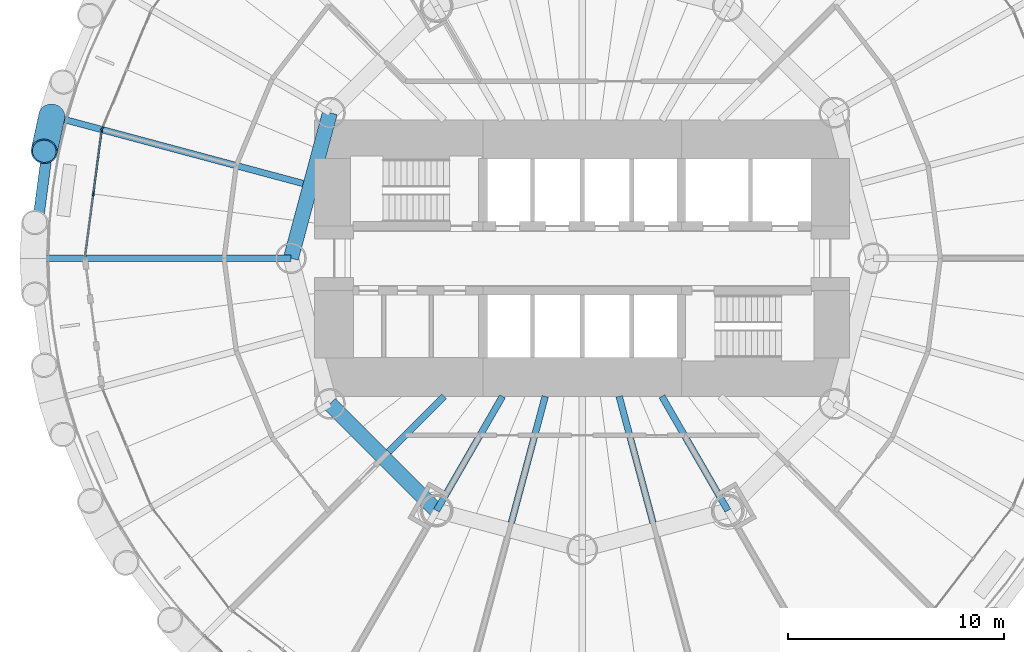
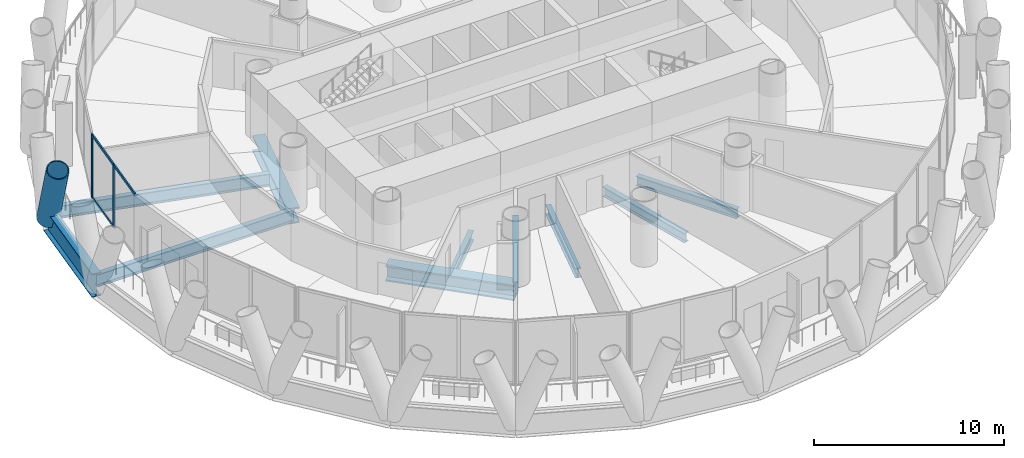
# One storey, part 3 of 14: 10 beams, 7 members, 2 elements without a shape of their own.
"""IFC4 building model written with IfcOpenShell, lengths in metres."""

from ifc_helpers import new_model, si_unit, direction, frame, origin, origin_2d, place, context, subcontext, project, spatial, rectangle, hollow_circle, i_section, extrude, material, material_profile, profile_set, type_object, element, aggregate, save


model = new_model("IFC4")

# Units and contexts
model_context = context("Model", 3, precision=1e-05, world=origin(), true_north=direction((0.0, 1.0)))
body_context = subcontext(model_context, "Body", "Model", "MODEL_VIEW")
ifc_project = project(units=[si_unit("LENGTHUNIT", "METRE"), si_unit("AREAUNIT", "SQUARE_METRE"), si_unit("VOLUMEUNIT", "CUBIC_METRE"), si_unit("PLANEANGLEUNIT", "RADIAN"), si_unit("MASSUNIT", "GRAM", prefix="KILO")], contexts=[model_context])

# Site, building, storey
site_placement = place(None, origin())
site = spatial("IfcSite", under=ifc_project, at=site_placement, CompositionType="ELEMENT")
building_placement = place(site_placement, origin())
building = spatial("IfcBuilding", under=site, at=building_placement, Name="Qaws Media Tower", CompositionType="ELEMENT")
storey_placement = place(building_placement, frame((0.0, 0.0, 93.199951171875)))
storey = spatial("IfcBuildingStorey", under=building, at=storey_placement, Name="L20", CompositionType="ELEMENT", Elevation=93.199951171875)

# Curtain wall, member
ifc_material_1 = material(Name="Aluminium and clear glass", Category="aluminium")
curtain_wall_type = type_object("IfcCurtainWallType", Name="Unitised curtain wall CW-A", PredefinedType="NOTDEFINED", material=ifc_material_1)
curtain_wall_1_placement = place(storey_placement, origin())
curtain_wall_1 = element("IfcCurtainWall", 1, at=curtain_wall_1_placement, inside=storey, type_object=curtain_wall_type, Name="CWA curtain wall L20-11", PredefinedType="NOTDEFINED")
ifc_material_2 = material(Name="Aluminium mullion", Category="aluminium")
ifc_material_profile_1 = material_profile(ifc_material_2, rectangle(XDim=0.080078125, YDim=0.199951171875, at=origin_2d()), Name="80x200")
ifc_profile_set_1 = profile_set([ifc_material_profile_1], Name="Aluminium mullion")
member_type_1 = type_object("IfcMemberType", Name="Curtain wall mullion 80x200", PredefinedType="MULLION", material=ifc_profile_set_1)
member_1_placement = place(storey_placement, frame((37.750732421875, 56.002685546875, 0.0), z_axis=(0.0, 0.0, 1.0), x_axis=(0.923879575665, -0.382683328183, 0.0)))
member_1 = element("IfcMember", 2, at=member_1_placement, type_object=member_type_1, Name="CWA mullion 3", PredefinedType="MULLION", context=body_context, shape_type="SweptSolid", body=[
    extrude(rectangle(XDim=0.080078125, YDim=0.199951171875, at=origin_2d()), origin(), (0.0, 0.0, 1.0), 4.0400390625),
])
aggregate(curtain_wall_1, [member_1])

# Curtain wall, members
curtain_wall_2_placement = place(storey_placement, origin())
curtain_wall_2 = element("IfcCurtainWall", 3, at=curtain_wall_2_placement, inside=storey, type_object=curtain_wall_type, Name="CWA curtain wall L20-12", PredefinedType="NOTDEFINED")
member_2_placement = place(storey_placement, frame((37.730224609375, 55.926025390625, 0.0), z_axis=(0.0, 0.0, 1.0), x_axis=(0.991444855038, -0.130526240342, 0.0)))
member_2 = element("IfcMember", 4, at=member_2_placement, type_object=member_type_1, Name="CWA mullion 1", PredefinedType="MULLION", context=body_context, shape_type="SweptSolid", body=[
    extrude(rectangle(XDim=0.080078125, YDim=0.199951171875, at=origin_2d()), origin(), (0.0, 0.0, 1.0), 4.0400390625),
])
member_3_placement = place(storey_placement, frame((37.3427734375, 52.98291015625, 0.0), z_axis=(0.0, 0.0, 1.0), x_axis=(0.991444855038, -0.130526240342, 0.0)))
member_3 = element("IfcMember", 5, at=member_3_placement, type_object=member_type_1, Name="CWA mullion 2", PredefinedType="MULLION", context=body_context, shape_type="SweptSolid", body=[
    extrude(rectangle(XDim=0.080078125, YDim=0.199951171875, at=origin_2d()), origin(), (0.0, 0.0, 1.0), 4.0400390625),
])
ifc_material_3 = material(Name="Aluminium transom", Category="aluminium")
ifc_material_profile_2 = material_profile(ifc_material_3, rectangle(XDim=0.080078125, YDim=0.159912109375, at=origin_2d()), Name="80x160")
ifc_profile_set_2 = profile_set([ifc_material_profile_2], Name="Aluminium transom")
member_type_2 = type_object("IfcMemberType", Name="Curtain wall transom 80x160", PredefinedType="USERDEFINED", material=ifc_profile_set_2)
member_4_placement = place(storey_placement, frame((37.724853515625, 55.886474609375, 0.0400390625), z_axis=(-0.130491678516, -0.991449404578, 0.0), x_axis=(0.991449404578, -0.130491678516, 0.0)))
member_4 = element("IfcMember", 6, at=member_4_placement, type_object=member_type_2, Name="CWA transom 1.1", ObjectType="TRANSOM", PredefinedType="USERDEFINED", context=body_context, shape_type="SweptSolid", body=[
    extrude(rectangle(XDim=0.080078125, YDim=0.159912109375, at=origin_2d()), origin(), (0.0, 0.0, 1.0), 2.888671875),
])
member_5_placement = place(storey_placement, frame((37.724853515625, 55.886474609375, 4.0), z_axis=(-0.130491678516, -0.991449404578, 0.0), x_axis=(0.991449404578, -0.130491678516, 0.0)))
member_5 = element("IfcMember", 7, at=member_5_placement, type_object=member_type_2, Name="CWA transom 1.2", ObjectType="TRANSOM", PredefinedType="USERDEFINED", context=body_context, shape_type="SweptSolid", body=[
    extrude(rectangle(XDim=0.080078125, YDim=0.159912109375, at=origin_2d()), origin(), (0.0, 0.0, 1.0), 2.888671875),
])
member_6_placement = place(storey_placement, frame((37.33740234375, 52.943115234375, 4.0), z_axis=(-0.130502613671, -0.991447965263, 0.0), x_axis=(0.991447965263, -0.130502613671, 0.0)))
member_6 = element("IfcMember", 8, at=member_6_placement, type_object=member_type_2, Name="CWA transom 2.2", ObjectType="TRANSOM", PredefinedType="USERDEFINED", context=body_context, shape_type="SweptSolid", body=[
    extrude(rectangle(XDim=0.080078125, YDim=0.159912109375, at=origin_2d()), origin(), (0.0, 0.0, 1.0), 2.888427734375),
])
aggregate(curtain_wall_2, [member_2, member_3, member_4, member_5, member_6])

# Member
ifc_material_4 = material(Name="Steel S460", Category="steel")
ifc_material_profile_3 = material_profile(ifc_material_4, hollow_circle(Radius=0.609619140625, WallThickness=0.06005859375, at=origin_2d()), Name="CHS 1219x60")
ifc_profile_set_3 = profile_set([ifc_material_profile_3], Name="Steel S460")
member_type_3 = type_object("IfcMemberType", Name="Diagrid member CHS 1219x60", PredefinedType="USERDEFINED", material=ifc_profile_set_3)
member_7_placement = place(storey_placement, frame((35.417236328125, 56.5869140625, -0.909912109375), z_axis=(-0.078302777838, -0.360063084013, 0.929636084989), x_axis=(0.977160478007, -0.212502706383, 0.0)))
element("IfcMember", 9, at=member_7_placement, inside=storey, type_object=member_type_3, Name="DG1 diagrid L20 A12", ObjectType="DIAGRID", PredefinedType="USERDEFINED", context=body_context, shape_type="SweptSolid", body=[
    extrude(hollow_circle(Radius=0.609619140625, WallThickness=0.06005859375, at=origin_2d()), origin(), (0.0, 0.0, 1.0), 4.517822265625),
])

# Beams
ifc_material_5 = material(Name="Steel S460", Category="steel")
ifc_material_profile_4 = material_profile(ifc_material_5, i_section(OverallWidth=0.5, OverallDepth=1.5, WebThickness=0.02001953125, FlangeThickness=0.0400390625, at=origin_2d()), Name="PG 1500x500")
ifc_profile_set_4 = profile_set([ifc_material_profile_4], Name="Steel S460")
beam_type_1 = type_object("IfcBeamType", Name="Edge ring beam PG 1500x500", PredefinedType="BEAM", material=ifc_profile_set_4)
beam_1_placement = place(storey_placement, frame((35.417236328125, 56.5869140625, -0.909912109375), z_axis=(-0.130526756258, -0.991444787117, 0.0), x_axis=(0.991444787117, -0.130526756258, 0.0)))
element("IfcBeam", 10, at=beam_1_placement, inside=storey, type_object=beam_type_1, Name="RB4 edge ring beam L20-12", PredefinedType="BEAM", context=body_context, shape_type="SweptSolid", body=[
    extrude(i_section(OverallWidth=0.5, OverallDepth=1.5, WebThickness=0.02001953125, FlangeThickness=0.0400390625, at=origin_2d()), origin(), (0.0, 0.0, 1.0), 6.643798828125),
])
ifc_material_6 = material(Name="Steel S460", Category="steel")
ifc_material_profile_5 = material_profile(ifc_material_6, i_section(OverallWidth=0.699951171875, OverallDepth=1.0, WebThickness=0.034912109375, FlangeThickness=0.090087890625, at=origin_2d()), Name="PG 1000x700")
ifc_profile_set_5 = profile_set([ifc_material_profile_5], Name="Steel S460")
beam_type_2 = type_object("IfcBeamType", Name="Inner ring girder PG 1000x700", PredefinedType="BEAM", material=ifc_profile_set_5)
beam_2_placement = place(storey_placement, frame((48.30859375, 56.75, -0.659912109375), z_axis=(-0.258810593767, -0.965928090778, 0.0), x_axis=(0.965928090778, -0.258810593767, 0.0)))
element("IfcBeam", 11, at=beam_2_placement, inside=storey, type_object=beam_type_2, Name="B3 inner ring beam L20 I06-I07", PredefinedType="BEAM", context=body_context, shape_type="SweptSolid", body=[
    extrude(i_section(OverallWidth=0.699951171875, OverallDepth=1.0, WebThickness=0.034912109375, FlangeThickness=0.090087890625, at=origin_2d()), origin(), (0.0, 0.0, 1.0), 6.988037109375),
])
beam_3_placement = place(storey_placement, frame((48.30859375, 43.25, -0.659912109375), z_axis=(0.707106781187, -0.707106781187, 0.0), x_axis=(0.707106781187, 0.707106781187, 0.0)))
element("IfcBeam", 12, at=beam_3_placement, inside=storey, type_object=beam_type_2, Name="B3 inner ring beam L20 I08-I09", PredefinedType="BEAM", context=body_context, shape_type="SweptSolid", body=[
    extrude(i_section(OverallWidth=0.699951171875, OverallDepth=1.0, WebThickness=0.034912109375, FlangeThickness=0.090087890625, at=origin_2d()), origin(), (0.0, 0.0, 1.0), 6.98828125),
])
ifc_material_7 = material(Name="Steel S355", Category="steel")
ifc_material_profile_6 = material_profile(ifc_material_7, i_section(OverallWidth=0.304931640625, OverallDepth=0.6201171875, WebThickness=0.02099609375, FlangeThickness=0.0400390625, FilletRadius=0.027099609375, at=origin_2d()), Name="HE 600 M")
ifc_profile_set_6 = profile_set([ifc_material_profile_6], Name="Steel S355")
beam_type_3 = type_object("IfcBeamType", Name="Radial beam HE 600 M, core side", PredefinedType="BEAM", material=ifc_profile_set_6)
beam_4_placement = place(storey_placement, frame((53.60009765625, 43.60009765625, -0.469970703125), z_axis=(-0.707106781187, -0.707106781187, 0.0), x_axis=(0.707106781187, -0.707106781187, 0.0)))
element("IfcBeam", 13, at=beam_4_placement, inside=storey, type_object=beam_type_3, Name="B2 radial beam L20 16", PredefinedType="BEAM", context=body_context, shape_type="SweptSolid", body=[
    extrude(i_section(OverallWidth=0.304931640625, OverallDepth=0.6201171875, WebThickness=0.02099609375, FlangeThickness=0.0400390625, FilletRadius=0.027099609375, at=origin_2d()), origin(), (0.0, 0.0, 1.0), 3.63916015625),
])
beam_5_placement = place(storey_placement, frame((56.304931640625, 43.60009765625, -0.469970703125), z_axis=(-0.49998532359, -0.866033877048, 0.0), x_axis=(0.866033877048, -0.49998532359, 0.0)))
element("IfcBeam", 14, at=beam_5_placement, inside=storey, type_object=beam_type_3, Name="B2 radial beam L20 17", PredefinedType="BEAM", context=body_context, shape_type="SweptSolid", body=[
    extrude(i_section(OverallWidth=0.304931640625, OverallDepth=0.6201171875, WebThickness=0.02099609375, FlangeThickness=0.0400390625, FilletRadius=0.027099609375, at=origin_2d()), origin(), (0.0, 0.0, 1.0), 6.110107421875),
])
for number, where, z_axis, x_axis, name in (
    (15, (58.28515625, 43.60009765625, -0.469970703125), (-0.258822614448, -0.965924869879, 0.0), (0.965924869879, -0.258822614448, 0.0), "B2 radial beam L20 18"),
    (16, (61.71484375, 43.60009765625, -0.469970703125), (0.258822614448, -0.965924869879, 0.0), (0.965924869879, 0.258822614448, 0.0), "B2 radial beam L20 20"),
):
    element("IfcBeam", number, at=place(storey_placement, frame(where, z_axis=z_axis, x_axis=x_axis)), inside=storey, type_object=beam_type_3, Name=name, PredefinedType="BEAM", context=body_context, shape_type="SweptSolid", body=[
        extrude(i_section(OverallWidth=0.304931640625, OverallDepth=0.6201171875, WebThickness=0.02099609375, FlangeThickness=0.0400390625, FilletRadius=0.027099609375, at=origin_2d()), origin(), (0.0, 0.0, 1.0), 6.064208984375),
    ])
beam_6_placement = place(storey_placement, frame((63.695068359375, 43.60009765625, -0.469970703125), z_axis=(0.49998532359, -0.866033877048, 0.0), x_axis=(0.866033877048, 0.49998532359, 0.0)))
element("IfcBeam", 17, at=beam_6_placement, inside=storey, type_object=beam_type_3, Name="B2 radial beam L20 21", PredefinedType="BEAM", context=body_context, shape_type="SweptSolid", body=[
    extrude(i_section(OverallWidth=0.304931640625, OverallDepth=0.6201171875, WebThickness=0.02099609375, FlangeThickness=0.0400390625, FilletRadius=0.027099609375, at=origin_2d()), origin(), (0.0, 0.0, 1.0), 6.110107421875),
])
ifc_material_8 = material(Name="Steel S355", Category="steel")
ifc_material_profile_7 = material_profile(ifc_material_8, i_section(OverallWidth=0.300048828125, OverallDepth=0.800048828125, WebThickness=0.017578125, FlangeThickness=0.032958984375, FilletRadius=0.030029296875, at=origin_2d()), Name="HE 800 B")
ifc_profile_set_7 = profile_set([ifc_material_profile_7], Name="Steel S355")
beam_type_4 = type_object("IfcBeamType", Name="Radial beam HE 800 B", PredefinedType="BEAM", material=ifc_profile_set_7)
beam_7_placement = place(storey_placement, frame((47.066162109375, 53.465576171875, -0.56005859375), z_axis=(-0.965925460719, 0.258820409425, 0.0), x_axis=(-0.258820409425, -0.965925460719, 0.0)))
element("IfcBeam", 18, at=beam_7_placement, inside=storey, type_object=beam_type_4, Name="B1 radial beam L20 12", PredefinedType="BEAM", context=body_context, shape_type="SweptSolid", body=[
    extrude(i_section(OverallWidth=0.300048828125, OverallDepth=0.800048828125, WebThickness=0.017578125, FlangeThickness=0.032958984375, FilletRadius=0.030029296875, at=origin_2d()), origin(), (0.0, 0.0, 1.0), 12.059814453125),
])
beam_8_placement = place(storey_placement, frame((46.5, 50.0, -0.56005859375), z_axis=(-1.0, 0.0, 0.0), x_axis=(0.0, -1.0, 0.0)))
element("IfcBeam", 19, at=beam_8_placement, inside=storey, type_object=beam_type_4, Name="B1 radial beam L20 13", PredefinedType="BEAM", context=body_context, shape_type="SweptSolid", body=[
    extrude(i_section(OverallWidth=0.300048828125, OverallDepth=0.800048828125, WebThickness=0.017578125, FlangeThickness=0.032958984375, FilletRadius=0.030029296875, at=origin_2d()), origin(), (0.0, 0.0, 1.0), 11.949951171875),
])

save(model, "model.ifc")
